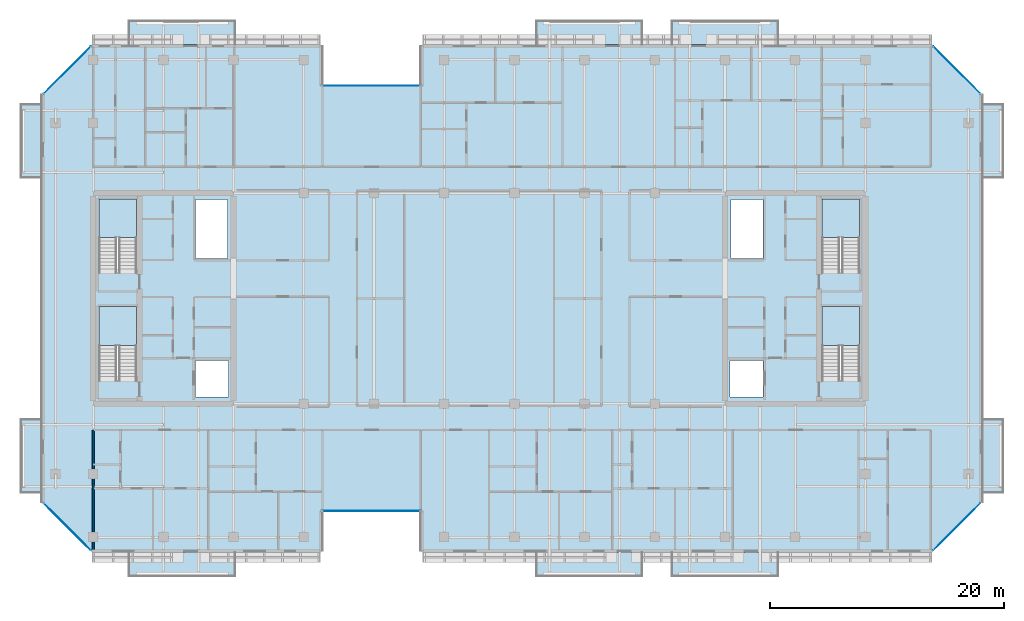
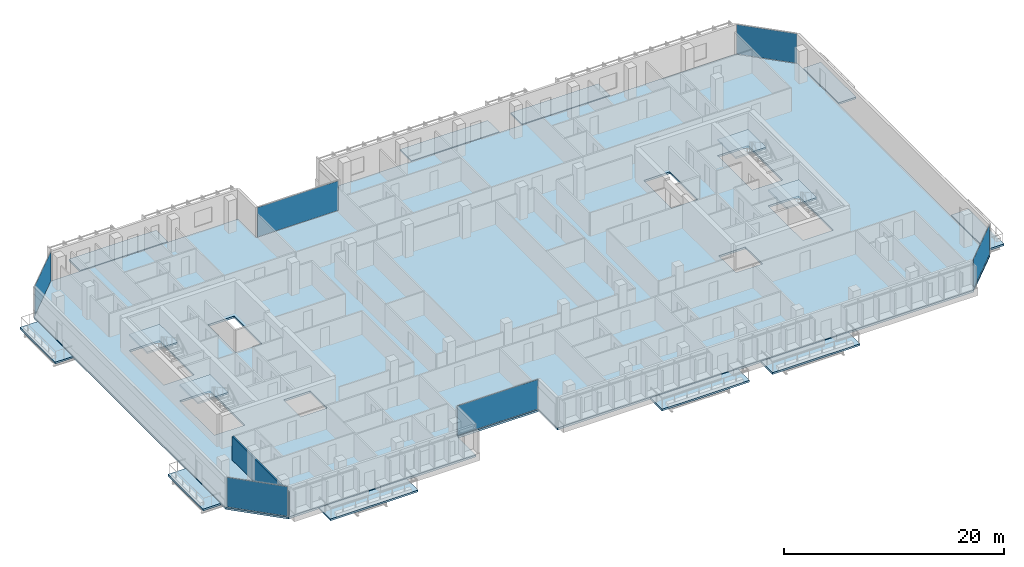
# One storey, part 18 of 30: 15 slabs, 6 plates, 1 wall, 10 elements without a shape of their own.
"""IFC4 building model written with IfcOpenShell, lengths in metres."""

from ifc_helpers import new_model, si_unit, direction, frame, frame_2d, origin, origin_2d, place, context, subcontext, project, spatial, polyline, rectangle, outline, extrude, material, layer, layer_set, type_object, element, aggregate, save


model = new_model("IFC4")

# Units and contexts
model_context = context("Model", 3, precision=1e-05, world=origin(), true_north=direction((0.0, 1.0)))
body_context = subcontext(model_context, "Body", "Model", "MODEL_VIEW")
ifc_project = project(units=[si_unit("LENGTHUNIT", "METRE"), si_unit("AREAUNIT", "SQUARE_METRE"), si_unit("VOLUMEUNIT", "CUBIC_METRE"), si_unit("PLANEANGLEUNIT", "RADIAN"), si_unit("MASSUNIT", "GRAM", prefix="KILO")], contexts=[model_context])

# Site, building, storey
site_placement = place(None, origin())
site = spatial("IfcSite", under=ifc_project, at=site_placement, CompositionType="ELEMENT")
building_placement = place(site_placement, origin())
building = spatial("IfcBuilding", under=site, at=building_placement, Name="Tanjung Sevakor Pilgrim Tower", CompositionType="ELEMENT")
storey_placement = place(building_placement, frame((0.0, 0.0, 165.659912109375)))
storey = spatial("IfcBuildingStorey", under=building, at=storey_placement, Name="L46", CompositionType="ELEMENT", Elevation=165.659912109375)

# Slabs
ifc_material_1 = material(Name="Concrete C40/50", Category="concrete")
ifc_layer_1 = layer(ifc_material_1, 0.199951171875)
ifc_layer_set_1 = layer_set([ifc_layer_1], Name="SL-BAL-200")
slab_type_1 = type_object("IfcSlabType", Name="SL-BAL-200", PredefinedType="FLOOR", material=ifc_layer_set_1)
slab_1_placement = place(storey_placement, frame((0.0, 0.0, -0.199951171875)))
element("IfcSlab", 1, at=slab_1_placement, inside=storey, type_object=slab_type_1, Name="L46 Planted Loggia Balcony MAIN-S1", PredefinedType="FLOOR", context=body_context, shape_type="SweptSolid", body=[
    extrude(outline(polyline([(27.0, 9.800048828125), (36.199951171875, 9.800048828125), (36.199951171875, 11.89990234375), (27.0, 11.89990234375), (27.0, 9.800048828125)])), origin(), (0.0, 0.0, 1.0), 0.199951171875),
])
slab_2_placement = place(storey_placement, frame((0.0, 0.0, -0.199951171875)))
element("IfcSlab", 2, at=slab_2_placement, inside=storey, type_object=slab_type_1, Name="L46 Planted Loggia Balcony MAIN-N1", PredefinedType="FLOOR", context=body_context, shape_type="SweptSolid", body=[
    extrude(outline(polyline([(27.0, 55.300048828125), (36.199951171875, 55.300048828125), (36.199951171875, 57.39990234375), (27.0, 57.39990234375), (27.0, 55.300048828125)])), origin(), (0.0, 0.0, 1.0), 0.199951171875),
])
slab_3_placement = place(storey_placement, frame((0.0, 0.0, -0.199951171875)))
element("IfcSlab", 3, at=slab_3_placement, inside=storey, type_object=slab_type_1, Name="L46 Planted Loggia Balcony MAIN-S2", PredefinedType="FLOOR", context=body_context, shape_type="SweptSolid", body=[
    extrude(outline(polyline([(61.800048828125, 9.800048828125), (71.0, 9.800048828125), (71.0, 11.89990234375), (61.800048828125, 11.89990234375), (61.800048828125, 9.800048828125)])), origin(), (0.0, 0.0, 1.0), 0.199951171875),
])
slab_4_placement = place(storey_placement, frame((0.0, 0.0, -0.199951171875)))
element("IfcSlab", 4, at=slab_4_placement, inside=storey, type_object=slab_type_1, Name="L46 Planted Loggia Balcony MAIN-N2", PredefinedType="FLOOR", context=body_context, shape_type="SweptSolid", body=[
    extrude(outline(polyline([(61.800048828125, 55.300048828125), (71.0, 55.300048828125), (71.0, 57.39990234375), (61.800048828125, 57.39990234375), (61.800048828125, 55.300048828125)])), origin(), (0.0, 0.0, 1.0), 0.199951171875),
])
slab_5_placement = place(storey_placement, frame((0.0, 0.0, -0.199951171875)))
element("IfcSlab", 5, at=slab_5_placement, inside=storey, type_object=slab_type_1, Name="L46 Planted Loggia Balcony MAIN-S3", PredefinedType="FLOOR", context=body_context, shape_type="SweptSolid", body=[
    extrude(outline(polyline([(73.39990234375, 9.800048828125), (82.60009765625, 9.800048828125), (82.60009765625, 11.89990234375), (73.39990234375, 11.89990234375), (73.39990234375, 9.800048828125)])), origin(), (0.0, 0.0, 1.0), 0.199951171875),
])
slab_6_placement = place(storey_placement, frame((0.0, 0.0, -0.199951171875)))
element("IfcSlab", 6, at=slab_6_placement, inside=storey, type_object=slab_type_1, Name="L46 Planted Loggia Balcony MAIN-N3", PredefinedType="FLOOR", context=body_context, shape_type="SweptSolid", body=[
    extrude(outline(polyline([(73.39990234375, 55.300048828125), (82.60009765625, 55.300048828125), (82.60009765625, 57.39990234375), (73.39990234375, 57.39990234375), (73.39990234375, 55.300048828125)])), origin(), (0.0, 0.0, 1.0), 0.199951171875),
])
slab_7_placement = place(storey_placement, frame((0.0, 0.0, -0.199951171875)))
element("IfcSlab", 7, at=slab_7_placement, inside=storey, type_object=slab_type_1, Name="L46 Planted Loggia Balcony MAIN-W1", PredefinedType="FLOOR", context=body_context, shape_type="SweptSolid", body=[
    extrude(outline(polyline([(17.75, 16.949951171875), (19.60009765625, 16.949951171875), (19.60009765625, 23.35009765625), (17.75, 23.35009765625), (17.75, 16.949951171875)])), origin(), (0.0, 0.0, 1.0), 0.199951171875),
])
slab_8_placement = place(storey_placement, frame((0.0, 0.0, -0.199951171875)))
element("IfcSlab", 8, at=slab_8_placement, inside=storey, type_object=slab_type_1, Name="L46 Planted Loggia Balcony MAIN-E1", PredefinedType="FLOOR", context=body_context, shape_type="SweptSolid", body=[
    extrude(outline(polyline([(100.0, 16.949951171875), (101.85009765625, 16.949951171875), (101.85009765625, 23.35009765625), (100.0, 23.35009765625), (100.0, 16.949951171875)])), origin(), (0.0, 0.0, 1.0), 0.199951171875),
])
slab_9_placement = place(storey_placement, frame((0.0, 0.0, -0.199951171875)))
element("IfcSlab", 9, at=slab_9_placement, inside=storey, type_object=slab_type_1, Name="L46 Planted Loggia Balcony MAIN-W2", PredefinedType="FLOOR", context=body_context, shape_type="SweptSolid", body=[
    extrude(outline(polyline([(17.75, 43.85009765625), (19.60009765625, 43.85009765625), (19.60009765625, 50.25), (17.75, 50.25), (17.75, 43.85009765625)])), origin(), (0.0, 0.0, 1.0), 0.199951171875),
])
slab_10_placement = place(storey_placement, frame((0.0, 0.0, -0.199951171875)))
element("IfcSlab", 10, at=slab_10_placement, inside=storey, type_object=slab_type_1, Name="L46 Planted Loggia Balcony MAIN-E2", PredefinedType="FLOOR", context=body_context, shape_type="SweptSolid", body=[
    extrude(outline(polyline([(100.0, 43.85009765625), (101.85009765625, 43.85009765625), (101.85009765625, 50.25), (100.0, 50.25), (100.0, 43.85009765625)])), origin(), (0.0, 0.0, 1.0), 0.199951171875),
])

# Stair, slab
ifc_material_2 = material(Name="Concrete C40/50", Category="concrete")
stair_type = type_object("IfcStairType", Name="STAIR-ST-CR150", PredefinedType="HALF_TURN_STAIR", material=ifc_material_2)
stair_1_placement = place(storey_placement, origin())
stair_1 = element("IfcStair", 11, at=stair_1_placement, inside=storey, type_object=stair_type, Name="L46 West Core Exit Stair 1", PredefinedType="HALF_TURN_STAIR")
ifc_material_3 = material(Name="Concrete C40/50", Category="concrete")
ifc_layer_2 = layer(ifc_material_3, 0.199951171875)
ifc_layer_set_2 = layer_set([ifc_layer_2], Name="SL-LAND-200")
slab_type_2 = type_object("IfcSlabType", Name="SL-LAND-200", PredefinedType="LANDING", material=ifc_layer_set_2)
slab_11_placement = place(storey_placement, frame((0.0, 0.0, 1.614990234375)))
slab_11 = element("IfcSlab", 12, at=slab_11_placement, type_object=slab_type_2, Name="TS-W1 landing 1", PredefinedType="LANDING", context=body_context, shape_type="SweptSolid", body=[
    extrude(outline(polyline([(27.699951171875, 29.60009765625), (27.699951171875, 32.89990234375), (24.5, 32.89990234375), (24.5, 29.60009765625), (27.699951171875, 29.60009765625)])), origin(), (0.0, 0.0, 1.0), 0.2001953125),
])
aggregate(stair_1, [slab_11])

stair_2_placement = place(storey_placement, origin())
stair_2 = element("IfcStair", 13, at=stair_2_placement, inside=storey, type_object=stair_type, Name="L46 West Core Exit Stair 2", PredefinedType="HALF_TURN_STAIR")
slab_12_placement = place(storey_placement, frame((0.0, 0.0, 1.614990234375)))
slab_12 = element("IfcSlab", 14, at=slab_12_placement, type_object=slab_type_2, Name="TS-W2 landing 1", PredefinedType="LANDING", context=body_context, shape_type="SweptSolid", body=[
    extrude(outline(polyline([(27.699951171875, 38.800048828125), (27.699951171875, 42.10009765625), (24.5, 42.10009765625), (24.5, 38.800048828125), (27.699951171875, 38.800048828125)])), origin(), (0.0, 0.0, 1.0), 0.2001953125),
])
aggregate(stair_2, [slab_12])

stair_3_placement = place(storey_placement, origin())
stair_3 = element("IfcStair", 15, at=stair_3_placement, inside=storey, type_object=stair_type, Name="L46 East Core Exit Stair 1", PredefinedType="HALF_TURN_STAIR")
slab_13_placement = place(storey_placement, frame((0.0, 0.0, 1.614990234375)))
slab_13 = element("IfcSlab", 16, at=slab_13_placement, type_object=slab_type_2, Name="TS-E1 landing 1", PredefinedType="LANDING", context=body_context, shape_type="SweptSolid", body=[
    extrude(outline(polyline([(89.5, 29.60009765625), (89.5, 32.89990234375), (86.300048828125, 32.89990234375), (86.300048828125, 29.60009765625), (89.5, 29.60009765625)])), origin(), (0.0, 0.0, 1.0), 0.2001953125),
])
aggregate(stair_3, [slab_13])

stair_4_placement = place(storey_placement, origin())
stair_4 = element("IfcStair", 17, at=stair_4_placement, inside=storey, type_object=stair_type, Name="L46 East Core Exit Stair 2", PredefinedType="HALF_TURN_STAIR")
slab_14_placement = place(storey_placement, frame((0.0, 0.0, 1.614990234375)))
slab_14 = element("IfcSlab", 18, at=slab_14_placement, type_object=slab_type_2, Name="TS-E2 landing 1", PredefinedType="LANDING", context=body_context, shape_type="SweptSolid", body=[
    extrude(outline(polyline([(89.5, 38.800048828125), (89.5, 42.10009765625), (86.300048828125, 42.10009765625), (86.300048828125, 38.800048828125), (89.5, 38.800048828125)])), origin(), (0.0, 0.0, 1.0), 0.2001953125),
])
aggregate(stair_4, [slab_14])

# Slab
ifc_material_4 = material(Name="Concrete C40/50", Category="concrete")
ifc_layer_3 = layer(ifc_material_4, 0.219970703125)
ifc_layer_set_3 = layer_set([ifc_layer_3], Name="SL-TWR-220")
slab_type_3 = type_object("IfcSlabType", Name="SL-TWR-220", PredefinedType="FLOOR", material=ifc_layer_set_3)
slab_15_placement = place(storey_placement, frame((0.0, 0.0, -0.219970703125)))
element("IfcSlab", 19, at=slab_15_placement, inside=storey, type_object=slab_type_3, Name="L46 Floor Slab MAIN", PredefinedType="FLOOR", context=body_context, shape_type="SweptSolid", body=[
    extrude(outline(polyline([(23.846923828125, 11.97998046875), (43.52001953125, 11.97998046875), (43.52001953125, 15.3798828125), (52.080078125, 15.3798828125), (52.080078125, 11.97998046875), (95.753173828125, 11.97998046875), (99.919921875, 16.14697265625), (99.919921875, 51.052978515625), (95.753173828125, 55.219970703125), (52.080078125, 55.219970703125), (52.080078125, 51.820068359375), (43.52001953125, 51.820068359375), (43.52001953125, 55.219970703125), (23.846923828125, 55.219970703125), (19.679931640625, 51.052978515625), (19.679931640625, 16.14697265625), (23.846923828125, 11.97998046875)]), holes=[polyline([(27.699951171875, 26.60009765625), (27.699951171875, 32.89990234375), (24.5, 32.89990234375), (24.5, 26.60009765625), (27.699951171875, 26.60009765625)]), polyline([(27.699951171875, 35.800048828125), (27.699951171875, 42.10009765625), (24.5, 42.10009765625), (24.5, 35.800048828125), (27.699951171875, 35.800048828125)]), polyline([(89.5, 26.60009765625), (89.5, 32.89990234375), (86.300048828125, 32.89990234375), (86.300048828125, 26.60009765625), (89.5, 26.60009765625)]), polyline([(89.5, 35.800048828125), (89.5, 42.10009765625), (86.300048828125, 42.10009765625), (86.300048828125, 35.800048828125), (89.5, 35.800048828125)]), polyline([(32.75, 25.199951171875), (35.550048828125, 25.199951171875), (35.550048828125, 28.300048828125), (32.75, 28.300048828125), (32.75, 25.199951171875)]), polyline([(32.75, 37.0), (35.5, 37.0), (35.5, 42.050048828125), (32.75, 42.050048828125), (32.75, 37.0)]), polyline([(78.449951171875, 25.199951171875), (81.25, 25.199951171875), (81.25, 28.300048828125), (78.449951171875, 28.300048828125), (78.449951171875, 25.199951171875)]), polyline([(78.5, 37.0), (81.25, 37.0), (81.25, 42.050048828125), (78.5, 42.050048828125), (78.5, 37.0)])]), origin(), (0.0, 0.0, 1.0), 0.219970703125),
])

# Curtain wall, plate
ifc_material_5 = material(Name="Aluminium 6063-T6 and Low-E Glass", Category="aluminium")
ifc_layer_4 = layer(ifc_material_5, 0.179931640625)
ifc_layer_set_4 = layer_set([ifc_layer_4], Name="CW-SYS-CLEFT")
curtain_wall_type_1 = type_object("IfcCurtainWallType", Name="CW-SYS-CLEFT", PredefinedType="NOTDEFINED", material=ifc_layer_set_4)
curtain_wall_1_placement = place(storey_placement, origin())
curtain_wall_1 = element("IfcCurtainWall", 20, at=curtain_wall_1_placement, inside=storey, type_object=curtain_wall_type_1, Name="L46 Curtain Wall CW-CLF-L46-2", PredefinedType="NOTDEFINED")
ifc_material_6 = material(Name="Laminated Low-E Double Glazing", Category="glass")
ifc_layer_5 = layer(ifc_material_6, 0.028076171875)
ifc_layer_set_5 = layer_set([ifc_layer_5], Name="TYPE-CWP-GLZ1")
plate_type = type_object("IfcPlateType", Name="TYPE-CWP-GLZ1", PredefinedType="CURTAIN_PANEL", material=ifc_layer_set_5)
plate_1_placement = place(storey_placement, frame((47.800048828125, 15.425048828125, 0.06494140625), z_axis=(0.0, 0.0, 1.0), x_axis=(1.0, 0.0, 0.0)))
plate_1 = element("IfcPlate", 21, at=plate_1_placement, type_object=plate_type, Name="CW-CLF panel 1.1", PredefinedType="CURTAIN_PANEL", context=body_context, shape_type="SweptSolid", body=[
    extrude(rectangle(XDim=8.5, YDim=0.028076171875, at=origin_2d()), origin(), (0.0, 0.0, 1.0), 3.280029296875),
])
aggregate(curtain_wall_1, [plate_1])

ifc_material_7 = material(Name="Aluminium 6063-T6 and Low-E Glass", Category="aluminium")
ifc_layer_6 = layer(ifc_material_7, 0.179931640625)
ifc_layer_set_6 = layer_set([ifc_layer_6], Name="CW-SYS-CHAM")
curtain_wall_type_2 = type_object("IfcCurtainWallType", Name="CW-SYS-CHAM", PredefinedType="NOTDEFINED", material=ifc_layer_set_6)
curtain_wall_2_placement = place(storey_placement, origin())
curtain_wall_2 = element("IfcCurtainWall", 22, at=curtain_wall_2_placement, inside=storey, type_object=curtain_wall_type_2, Name="L46 Curtain Wall CW-CHM-L46-MAIN-5", PredefinedType="NOTDEFINED")
plate_2_placement = place(storey_placement, frame((97.8115234375, 14.08837890625, 0.06494140625), z_axis=(0.0, 0.0, 1.0), x_axis=(0.707106781187, 0.707106781187, 0.0)))
plate_2 = element("IfcPlate", 23, at=plate_2_placement, type_object=plate_type, Name="CW-CHM panel 1.1", PredefinedType="CURTAIN_PANEL", context=body_context, shape_type="SweptSolid", body=[
    extrude(rectangle(XDim=5.7060546875, YDim=0.028076171875, at=origin_2d()), origin(), (0.0, 0.0, 1.0), 3.280029296875),
])
aggregate(curtain_wall_2, [plate_2])

curtain_wall_3_placement = place(storey_placement, origin())
curtain_wall_3 = element("IfcCurtainWall", 24, at=curtain_wall_3_placement, inside=storey, type_object=curtain_wall_type_2, Name="L46 Curtain Wall CW-CHM-L46-MAIN-7", PredefinedType="NOTDEFINED")
plate_3_placement = place(storey_placement, frame((97.8115234375, 53.111572265625, 0.06494140625), z_axis=(0.0, 0.0, 1.0), x_axis=(-0.707106781187, 0.707106781187, 0.0)))
plate_3 = element("IfcPlate", 25, at=plate_3_placement, type_object=plate_type, Name="CW-CHM panel 1.1", PredefinedType="CURTAIN_PANEL", context=body_context, shape_type="SweptSolid", body=[
    extrude(rectangle(XDim=5.7060546875, YDim=0.028076171875, at=origin_2d()), origin(), (0.0, 0.0, 1.0), 3.280029296875),
])
aggregate(curtain_wall_3, [plate_3])

curtain_wall_4_placement = place(storey_placement, origin())
curtain_wall_4 = element("IfcCurtainWall", 26, at=curtain_wall_4_placement, inside=storey, type_object=curtain_wall_type_1, Name="L46 Curtain Wall CW-CLF-L46-10", PredefinedType="NOTDEFINED")
plate_4_placement = place(storey_placement, frame((47.800048828125, 51.77490234375, 0.06494140625), z_axis=(0.0, 0.0, 1.0), x_axis=(-1.0, 0.0, 0.0)))
plate_4 = element("IfcPlate", 27, at=plate_4_placement, type_object=plate_type, Name="CW-CLF panel 1.1", PredefinedType="CURTAIN_PANEL", context=body_context, shape_type="SweptSolid", body=[
    extrude(rectangle(XDim=8.5, YDim=0.028076171875, at=origin_2d()), origin(), (0.0, 0.0, 1.0), 3.280029296875),
])
aggregate(curtain_wall_4, [plate_4])

curtain_wall_5_placement = place(storey_placement, origin())
curtain_wall_5 = element("IfcCurtainWall", 28, at=curtain_wall_5_placement, inside=storey, type_object=curtain_wall_type_2, Name="L46 Curtain Wall CW-CHM-L46-MAIN-13", PredefinedType="NOTDEFINED")
plate_5_placement = place(storey_placement, frame((21.788330078125, 53.111572265625, 0.06494140625), z_axis=(0.0, 0.0, 1.0), x_axis=(-0.707106781187, -0.707106781187, 0.0)))
plate_5 = element("IfcPlate", 29, at=plate_5_placement, type_object=plate_type, Name="CW-CHM panel 1.1", PredefinedType="CURTAIN_PANEL", context=body_context, shape_type="SweptSolid", body=[
    extrude(rectangle(XDim=5.7060546875, YDim=0.028076171875, at=origin_2d()), origin(), (0.0, 0.0, 1.0), 3.280029296875),
])
aggregate(curtain_wall_5, [plate_5])

curtain_wall_6_placement = place(storey_placement, origin())
curtain_wall_6 = element("IfcCurtainWall", 30, at=curtain_wall_6_placement, inside=storey, type_object=curtain_wall_type_2, Name="L46 Curtain Wall CW-CHM-L46-MAIN-15", PredefinedType="NOTDEFINED")
plate_6_placement = place(storey_placement, frame((21.788330078125, 14.08837890625, 0.06494140625), z_axis=(0.0, 0.0, 1.0), x_axis=(0.707106781187, -0.707106781187, 0.0)))
plate_6 = element("IfcPlate", 31, at=plate_6_placement, type_object=plate_type, Name="CW-CHM panel 1.1", PredefinedType="CURTAIN_PANEL", context=body_context, shape_type="SweptSolid", body=[
    extrude(rectangle(XDim=5.7060546875, YDim=0.028076171875, at=origin_2d()), origin(), (0.0, 0.0, 1.0), 3.280029296875),
])
aggregate(curtain_wall_6, [plate_6])

# Wall
ifc_material_8 = material(Name="Concrete C40/50", Category="concrete")
ifc_layer_7 = layer(ifc_material_8, 0.14990234375)
ifc_layer_set_7 = layer_set([ifc_layer_7], Name="WT-COMP-150")
wall_type = type_object("IfcWallType", Name="WT-COMP-150", PredefinedType="SOLIDWALL", material=ifc_layer_set_7)
wall_placement = place(storey_placement, frame((24.0, 12.14990234375, 0.0), z_axis=(0.0, 0.0, 1.0), x_axis=(0.0, 1.0, 0.0)))
element("IfcWall", 32, at=wall_placement, inside=storey, type_object=wall_type, Name="L46 Partition IW-L46-059", PredefinedType="SOLIDWALL", context=body_context, shape_type="SweptSolid", body=[
    extrude(rectangle(XDim=10.2001953125, YDim=0.14990234375, at=frame_2d((5.10009765625, 0.0))), origin(), (0.0, 0.0, 1.0), 2.6298828125),
])

save(model, "model.ifc")
